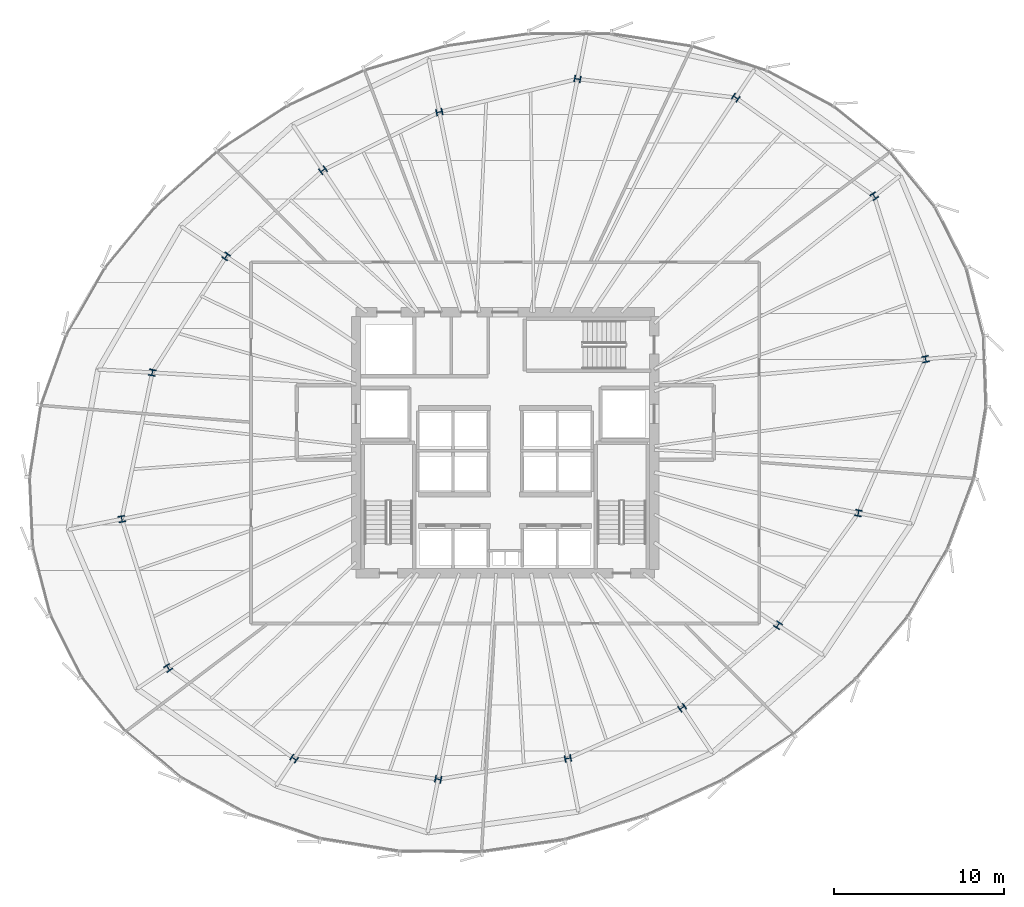
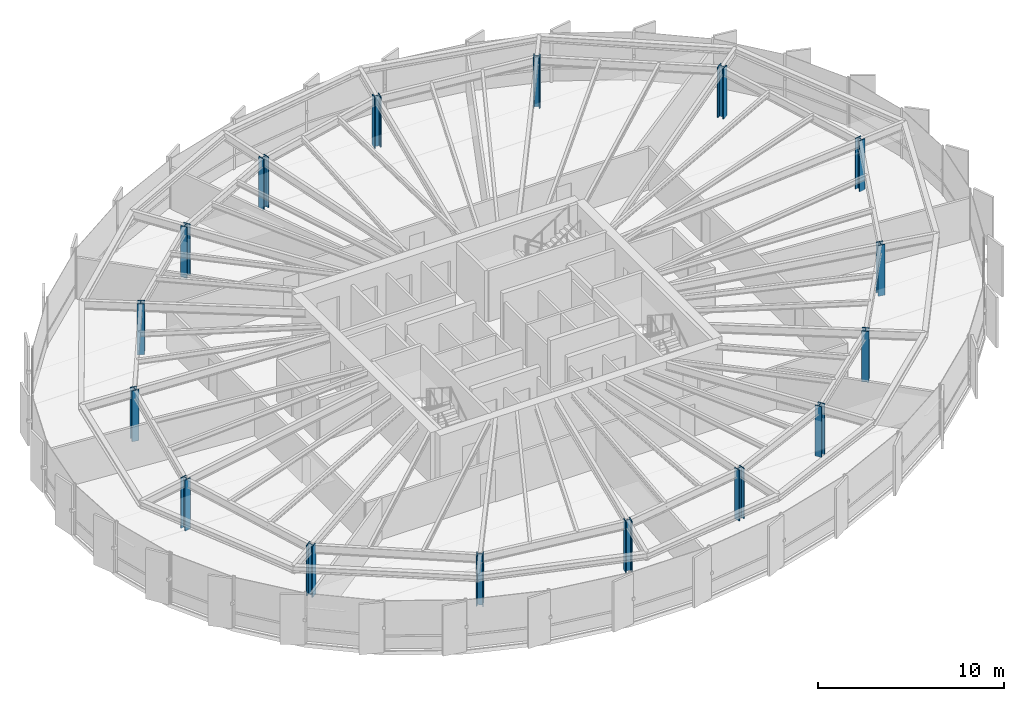
# One storey, part 1 of 33: 16 columns.
"""IFC4 building model written with IfcOpenShell, lengths in metres."""

import ifcopenshell
import ifcopenshell.guid

model = None  # the IFC model being written
_history = None  # IfcOwnerHistory: only IFC2X3 demands one
_inside = {}  # id of a spatial element -> (the spatial element, [elements in it])
_under = {}  # id of a project, library or spatial element -> (it, [spatial elements below it])
_declared = {}  # id of a project -> (the project, [libraries it declares])
_typed = {}  # id of a type object -> (the type object, [elements of that type])
_made_of = {}  # id of a material, layer set ... -> (it, [elements and type objects made of it])


def new_model(schema):
    """Start an empty IFC model of exactly this schema.

    Asked for "IFC4X3", IfcOpenShell would pick the latest addendum, in which some entities
    have other attributes; the version numbers below select the first issue.
    IFC2X3 requires an IfcOwnerHistory on every rooted entity: one is made here for all.
    """
    global model, _history
    if schema == "IFC4X3":
        model = ifcopenshell.file(schema_version=(4, 3, 0, 0))
    else:
        model = ifcopenshell.file(schema=schema)
    _inside.clear()
    _under.clear()
    _declared.clear()
    _typed.clear()
    _made_of.clear()
    _history = None
    if model.schema == "IFC2X3":
        org = make("IfcOrganization", Name="unknown")
        user = make(
            "IfcPersonAndOrganization",
            ThePerson=make("IfcPerson", FamilyName="unknown"),
            TheOrganization=org,
        )
        app = make(
            "IfcApplication",
            ApplicationDeveloper=org,
            Version="unknown",
            ApplicationFullName="unknown",
            ApplicationIdentifier="unknown",
        )
        _history = make(
            "IfcOwnerHistory",
            OwningUser=user,
            OwningApplication=app,
            ChangeAction="ADDED",
            CreationDate=0,
        )
    return model


def make(cls, **values):
    """One entity of the class cls with the attributes given. An attribute that is None is left unset."""
    return model.create_entity(
        cls, **{name: value for name, value in values.items() if value is not None}
    )


def rooted(cls, **values):
    """An entity with a GlobalId (a new one), such as an element, a storey or a relation."""
    return make(cls, GlobalId=ifcopenshell.guid.new(), OwnerHistory=_history, **values)


def si_unit(unit_type, name, prefix=None):
    """IfcSIUnit, for example si_unit("LENGTHUNIT", "METRE", prefix="MILLI")."""
    return make("IfcSIUnit", UnitType=unit_type, Prefix=prefix, Name=name)


def assignment(units):
    """IfcUnitAssignment: the units of a project."""
    return None if units is None else make("IfcUnitAssignment", Units=units)


def point(xyz):
    """IfcCartesianPoint."""
    return None if xyz is None else make("IfcCartesianPoint", Coordinates=xyz)


def direction(xyz):
    """IfcDirection."""
    return None if xyz is None else make("IfcDirection", DirectionRatios=xyz)


def frame(location, z_axis=None, x_axis=None):
    """IfcAxis2Placement3D, a coordinate frame: its origin and axes. An axis left out is left unset."""
    return make(
        "IfcAxis2Placement3D",
        Location=point(location),
        Axis=direction(z_axis),
        RefDirection=direction(x_axis),
    )


def frame_2d(location, x_axis=None):
    """IfcAxis2Placement2D, a coordinate frame in the plane: its origin and x axis."""
    return make(
        "IfcAxis2Placement2D", Location=point(location), RefDirection=direction(x_axis)
    )


def origin():
    """The frame at (0, 0, 0) with its axes left unset."""
    return frame((0.0, 0.0, 0.0))


def origin_2d():
    """The frame at (0, 0) in the plane with its x axis left unset."""
    return frame_2d((0.0, 0.0))


def place(relative_to, where):
    """IfcLocalPlacement: puts the frame where relative to a parent placement (None: the world)."""
    return make(
        "IfcLocalPlacement", PlacementRelTo=relative_to, RelativePlacement=where
    )


def context(
    kind, dimensions, precision=None, world=None, true_north=None, identifier=None
):
    """IfcGeometricRepresentationContext, for example the 3D "Model" context."""
    return make(
        "IfcGeometricRepresentationContext",
        ContextIdentifier=identifier,
        ContextType=kind,
        CoordinateSpaceDimension=dimensions,
        Precision=precision,
        WorldCoordinateSystem=world,
        TrueNorth=true_north,
    )


def subcontext(parent, identifier, kind, view, scale=None):
    """IfcGeometricRepresentationSubContext, for example "Body" below "Model"."""
    return make(
        "IfcGeometricRepresentationSubContext",
        ContextIdentifier=identifier,
        ContextType=kind,
        ParentContext=parent,
        TargetScale=scale,
        TargetView=view,
    )


def project(units=None, contexts=None):
    """IfcProject with its units and contexts."""
    return rooted(
        "IfcProject",
        Name="project",
        RepresentationContexts=contexts,
        UnitsInContext=assignment(units),
    )


def spatial(cls, under=None, at=None, **own):
    """A site, building, storey or space (cls), placed at a placement, below another one or the project."""
    s = rooted(cls, ObjectPlacement=at, **own)
    if under is not None:
        _under.setdefault(under.id(), (under, []))[1].append(s)
    return s


def profile(cls, at=None, kind="AREA", **sizes):
    """A parametric profile (cls). Its sizes go by their IFC names, for example OverallWidth=200.0."""
    return make(cls, ProfileType=kind, Position=at, **sizes)


def i_section(**sizes):
    """IfcIShapeProfileDef."""
    return profile("IfcIShapeProfileDef", **sizes)


def extrude(swept, where, along, depth):
    """IfcExtrudedAreaSolid: the profile swept, set in the frame where, extruded along a direction by depth."""
    return make(
        "IfcExtrudedAreaSolid",
        SweptArea=swept,
        Position=where,
        ExtrudedDirection=direction(along),
        Depth=depth,
    )


def shape(context_of_items, identifier, shape_type, items):
    """IfcShapeRepresentation: the items that make up one representation, for example the "Body"."""
    return make(
        "IfcShapeRepresentation",
        ContextOfItems=context_of_items,
        RepresentationIdentifier=identifier,
        RepresentationType=shape_type,
        Items=items,
    )


def source(mapping_origin, context_of_items, identifier, shape_type, items):
    """IfcRepresentationMap: a shape defined once, which mapped items show again and again."""
    return make(
        "IfcRepresentationMap",
        MappingOrigin=mapping_origin,
        MappedRepresentation=shape(context_of_items, identifier, shape_type, items),
    )


def transform(
    local_origin,
    x_axis=None,
    y_axis=None,
    z_axis=None,
    scale=None,
    scale2=None,
    scale3=None,
    uniform=True,
):
    """IfcCartesianTransformationOperator3D, or its non-uniform kind. x_axis, y_axis, z_axis: its Axis1, 2, 3."""
    if uniform:
        return make(
            "IfcCartesianTransformationOperator3D",
            Axis1=direction(x_axis),
            Axis2=direction(y_axis),
            LocalOrigin=point(local_origin),
            Scale=scale,
            Axis3=direction(z_axis),
        )
    return make(
        "IfcCartesianTransformationOperator3DnonUniform",
        Axis1=direction(x_axis),
        Axis2=direction(y_axis),
        LocalOrigin=point(local_origin),
        Scale=scale,
        Axis3=direction(z_axis),
        Scale2=scale2,
        Scale3=scale3,
    )


def mapped(mapping_source, mapping_target):
    """IfcMappedItem: shows the shape of a source again, moved by a transform."""
    return make(
        "IfcMappedItem", MappingSource=mapping_source, MappingTarget=mapping_target
    )


def material(Name=None, Category=None):
    """IfcMaterial."""
    return make("IfcMaterial", Name=Name, Category=Category)


def material_profile(
    of_material, cross_section, Name=None, Category=None, Priority=None
):
    """IfcMaterialProfile: a cross section and its material."""
    return make(
        "IfcMaterialProfile",
        Name=Name,
        Material=of_material,
        Profile=cross_section,
        Priority=Priority,
        Category=Category,
    )


def profile_set(profiles, Name=None, composite=None):
    """IfcMaterialProfileSet."""
    return make(
        "IfcMaterialProfileSet",
        Name=Name,
        MaterialProfiles=profiles,
        CompositeProfile=composite,
    )


def made_of(thing, what):
    """Note that an element or type object is made of a material, layer set ...; save() writes the relation."""
    if what is not None:
        _made_of.setdefault(what.id(), (what, []))[1].append(thing)
    return thing


def type_object(cls, material=None, **own):
    """A type object (cls), such as IfcWallType, which elements share."""
    return made_of(rooted(cls, **own), material)


def element(
    cls,
    number,
    at=None,
    inside=None,
    cuts=None,
    type_object=None,
    material=None,
    context=None,
    identifier="Body",
    shape_type=None,
    held_by="IfcProductDefinitionShape",
    body=None,
    shapes=None,
    **own,
):
    """One element of the class cls, such as IfcWall. Its Tag is "e" and its number.

    at: its placement. inside: the storey or other place that contains it. cuts: it is an
    opening in that element (IfcRelVoidsElement). A single representation is given by context,
    identifier, shape_type and body (its items); several are given by shapes. held_by: the class
    of the entity that holds the representations. save() writes the other relations.
    """
    e = rooted(cls, Tag="e%d" % number, ObjectPlacement=at, **own)
    if body is not None:
        shapes = [shape(context, identifier, shape_type, body)]
    if shapes is not None:
        e.Representation = make(held_by, Representations=shapes)
    if inside is not None:
        _inside.setdefault(inside.id(), (inside, []))[1].append(e)
    if cuts is not None:
        rooted(
            "IfcRelVoidsElement", RelatingBuildingElement=cuts, RelatedOpeningElement=e
        )
    if type_object is not None:
        _typed.setdefault(type_object.id(), (type_object, []))[1].append(e)
    return made_of(e, material)


def aggregate(whole, parts):
    """IfcRelAggregates: a whole, such as a stair, and the parts it consists of."""
    return rooted("IfcRelAggregates", RelatingObject=whole, RelatedObjects=parts)


def save(model, path):
    """Write the relations noted so far, then the file.

    IfcRelAggregates (storeys below a building ...), IfcRelContainedInSpatialStructure (elements
    in a storey), IfcRelDefinesByType, IfcRelAssociatesMaterial and IfcRelDeclares: one each for
    every whole, place, type object, material and project.
    """
    for whole, parts in _under.values():
        aggregate(whole, parts)
    for where, things in _inside.values():
        rooted(
            "IfcRelContainedInSpatialStructure",
            RelatedElements=things,
            RelatingStructure=where,
        )
    for kind, things in _typed.values():
        rooted("IfcRelDefinesByType", RelatedObjects=things, RelatingType=kind)
    for what, things in _made_of.values():
        rooted("IfcRelAssociatesMaterial", RelatedObjects=things, RelatingMaterial=what)
    for by, libraries in _declared.values():
        rooted("IfcRelDeclares", RelatingContext=by, RelatedDefinitions=libraries)
    model.write(path)


model = new_model("IFC4")

# Units and contexts
model_context = context("Model", 3, precision=1e-05, world=origin(), true_north=direction((0.0, 1.0)))
body_context = subcontext(model_context, "Body", "Model", "MODEL_VIEW")
ifc_project = project(units=[si_unit("LENGTHUNIT", "METRE"), si_unit("AREAUNIT", "SQUARE_METRE"), si_unit("VOLUMEUNIT", "CUBIC_METRE"), si_unit("PLANEANGLEUNIT", "RADIAN"), si_unit("MASSUNIT", "GRAM", prefix="KILO"), si_unit("THERMODYNAMICTEMPERATUREUNIT", "KELVIN")], contexts=[model_context])

# Site, building, storey
site_placement = place(None, origin())
site = spatial("IfcSite", under=ifc_project, at=site_placement, CompositionType="ELEMENT")
building_placement = place(site_placement, origin())
building = spatial("IfcBuilding", under=site, at=building_placement, Name="Kethvar Cultural Tower", CompositionType="ELEMENT")
storey_placement = place(building_placement, frame((0.0, 0.0, 118.0)))
storey = spatial("IfcBuildingStorey", under=building, at=storey_placement, Name="L29", CompositionType="ELEMENT", Elevation=118.0)

# Columns
ifc_material = material(Name="Steel S460M", Category="steel")
ifc_material_profile = material_profile(ifc_material, i_section(OverallWidth=0.40087890625, OverallDepth=0.381103515625, WebThickness=0.031982421875, FlangeThickness=0.051025390625, FilletRadius=0.014892578125, at=origin_2d()), Name="Steel S460M — HD400x677")
ifc_profile_set = profile_set([ifc_material_profile], Name="Steel S460M — HD400x677")
column_type = type_object("IfcColumnType", Name="COL-HD677", PredefinedType="COLUMN", material=ifc_profile_set)
shared_shape = source(origin(), body_context, "Body", "SweptSolid", [
    extrude(i_section(OverallWidth=0.40087890625, OverallDepth=0.381103515625, WebThickness=0.031982421875, FlangeThickness=0.051025390625, FilletRadius=0.014892578125, at=origin_2d()), origin(), (0.0, 0.0, 1.0), 3.35009765625),
])
for number, where, z_axis, x_axis, name in (
    (1, (71.6025390625, 32.7333984375, 0.0), (0.0, 0.0, 1.0), (0.980785280403, 0.195090322016, 0.0), "L29 Mega-Column MC-01"),
    (2, (68.568603515625, 42.34521484375, 0.0), (0.0, 0.0, 1.0), (0.831469612303, 0.55557023302, 0.0), "L29 Mega-Column MC-02"),
    (3, (60.40478515625, 48.160888671875, 0.0), (0.0, 0.0, 1.0), (0.55557023302, 0.831469612303, 0.0), "L29 Mega-Column MC-03"),
    (4, (51.068603515625, 49.25927734375, 0.0), (0.0, 0.0, 1.0), (0.195090322016, 0.980785280403, 0.0), "L29 Mega-Column MC-04"),
    (5, (42.9189453125, 47.311279296875, 0.0), (0.0, 0.0, 1.0), (-0.195090322016, 0.980785280403, 0.0), "L29 Mega-Column MC-05"),
    (6, (36.0576171875, 43.877197265625, 0.0), (0.0, 0.0, 1.0), (-0.55557023302, 0.831469612303, 0.0), "L29 Mega-Column MC-06"),
    (7, (30.345947265625, 38.794189453125, 0.0), (0.0, 0.0, 1.0), (-0.831469612303, 0.55557023302, 0.0), "L29 Mega-Column MC-07"),
    (8, (25.988525390625, 31.939697265625, 0.0), (0.0, 0.0, 1.0), (-0.980785280403, 0.195090322016, 0.0), "L29 Mega-Column MC-08"),
    (9, (24.185302734375, 23.3017578125, 0.0), (0.0, 0.0, 1.0), (-0.980785280403, -0.195090322016, 0.0), "L29 Mega-Column MC-09"),
    (10, (26.920654296875, 14.51708984375, 0.0), (0.0, 0.0, 1.0), (-0.831469612303, -0.55557023302, 0.0), "L29 Mega-Column MC-10"),
    (11, (34.350830078125, 9.16845703125, 0.0), (0.0, 0.0, 1.0), (-0.55557023302, -0.831469612303, 0.0), "L29 Mega-Column MC-11"),
    (12, (42.852294921875, 7.95361328125, 0.0), (0.0, 0.0, 1.0), (-0.195090322016, -0.980785280403, 0.0), "L29 Mega-Column MC-12"),
    (13, (50.50341796875, 9.182373046875, 0.0), (0.0, 0.0, 1.0), (0.195090322016, -0.980785280403, 0.0), "L29 Mega-Column MC-13"),
    (14, (57.241943359375, 12.17236328125, 0.0), (0.0, 0.0, 1.0), (0.55557023302, -0.831469612303, 0.0), "L29 Mega-Column MC-14"),
    (15, (62.898681640625, 17.043212890625, 0.0), (0.0, 0.0, 1.0), (0.831469612303, -0.55557023302, 0.0), "L29 Mega-Column MC-15"),
    (16, (67.638671875, 23.65478515625, 0.0), (0.0, 0.0, 1.0), (0.980785280403, -0.195090322016, 0.0), "L29 Mega-Column MC-16"),
):
    element("IfcColumn", number, at=place(storey_placement, frame(where, z_axis=z_axis, x_axis=x_axis)), inside=storey, type_object=column_type, Name=name, PredefinedType="COLUMN", context=body_context, shape_type="MappedRepresentation", body=[
        mapped(shared_shape, transform((0.0, 0.0, 0.0), scale=1.0)),
    ])

save(model, "model.ifc")
